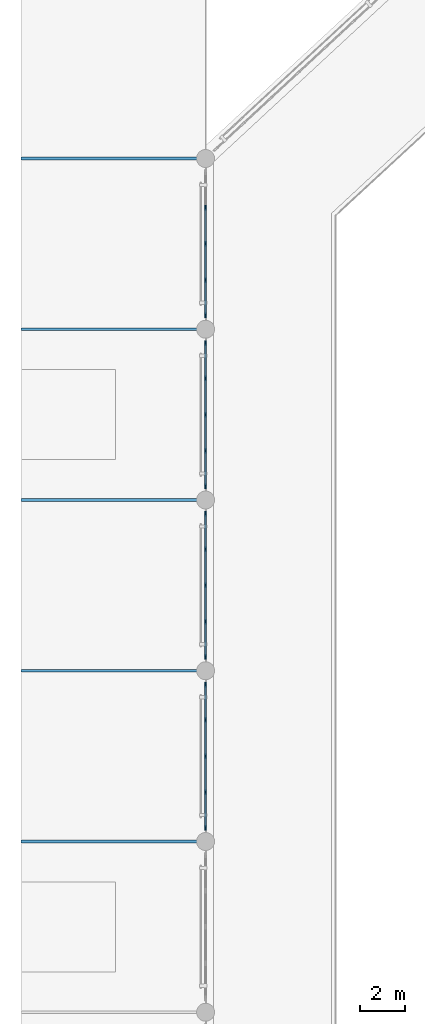
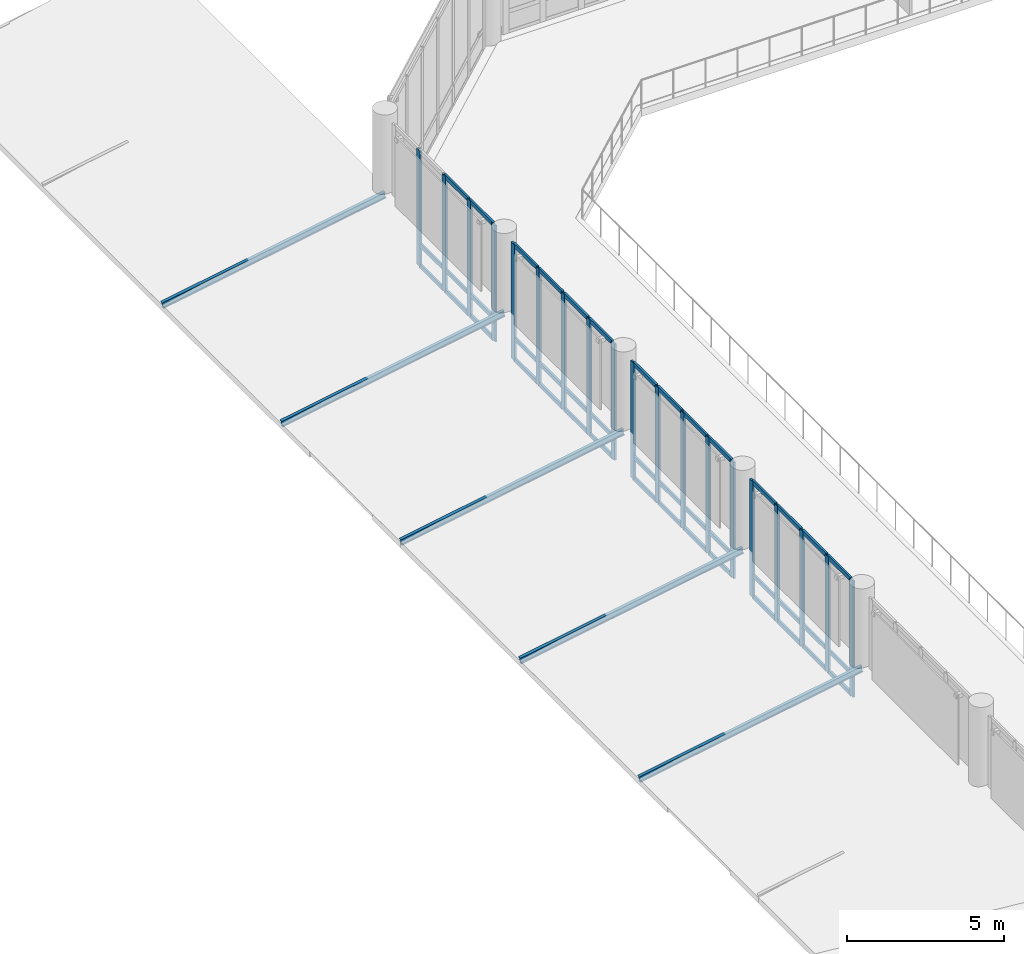
# One storey, part 12 of 57: 68 members, 4 elements without a shape of their own.
"""IFC4 building model written with IfcOpenShell, lengths in metres."""

from ifc_helpers import new_model, si_unit, direction, frame, origin, origin_2d, place, context, subcontext, project, spatial, rectangle, i_section, extrude, material, material_profile, profile_set, type_object, element, aggregate, save


model = new_model("IFC4")

# Units and contexts
model_context = context("Model", 3, precision=1e-05, world=origin(), true_north=direction((0.0, 1.0)))
body_context = subcontext(model_context, "Body", "Model", "MODEL_VIEW")
ifc_project = project(units=[si_unit("LENGTHUNIT", "METRE"), si_unit("AREAUNIT", "SQUARE_METRE"), si_unit("VOLUMEUNIT", "CUBIC_METRE"), si_unit("PLANEANGLEUNIT", "RADIAN"), si_unit("MASSUNIT", "GRAM", prefix="KILO")], contexts=[model_context])

# Site, building, storey
site_placement = place(None, origin())
site = spatial("IfcSite", under=ifc_project, at=site_placement, CompositionType="ELEMENT")
building_placement = place(site_placement, origin())
building = spatial("IfcBuilding", under=site, at=building_placement, Name="Qandaris Square Conservatory and Botanical Centre", CompositionType="ELEMENT")
storey_placement = place(building_placement, frame((0.0, 0.0, 5.39990234375)))
storey = spatial("IfcBuildingStorey", under=building, at=storey_placement, Name="L01", CompositionType="ELEMENT", Elevation=5.39990234375)

# Members
ifc_material_1 = material(Name="Steel S355", Category="steel")
ifc_material_profile_1 = material_profile(ifc_material_1, i_section(OverallWidth=0.1201171875, OverallDepth=0.239990234375, WebThickness=0.006103515625, FlangeThickness=0.009765625, FilletRadius=0.014892578125, at=origin_2d()), Name="IPE 240")
ifc_profile_set_1 = profile_set([ifc_material_profile_1], Name="Steel S355")
member_type_1 = type_object("IfcMemberType", Name="Colonnade Prairie Rafter IPE 240", PredefinedType="RAFTER", material=ifc_profile_set_1)
for number, where, z_axis, x_axis, name in (
    (1, (8.0, 77.39990234375, 0.0), (0.984924346364, 0.0, 0.172985640849), (0.0, 1.0, 0.0), "Colonnade West Rafter 050"),
    (2, (8.0, 85.0, 0.0), (0.984924346364, 0.0, 0.172985640849), (0.0, 1.0, 0.0), "Colonnade West Rafter 052"),
    (3, (8.0, 92.60009765625, 0.0), (0.984924346364, 0.0, 0.172985640849), (0.0, 1.0, 0.0), "Colonnade West Rafter 054"),
    (4, (8.0, 100.199951171875, 0.0), (0.984924346364, 0.0, 0.172985640849), (0.0, 1.0, 0.0), "Colonnade West Rafter 056"),
    (5, (8.0, 107.800048828125, 0.0), (0.984924346364, 0.0, 0.172985640849), (0.0, 1.0, 0.0), "Colonnade West Rafter 058"),
):
    element("IfcMember", number, at=place(storey_placement, frame(where, z_axis=z_axis, x_axis=x_axis)), inside=storey, type_object=member_type_1, Name=name, PredefinedType="RAFTER", context=body_context, shape_type="SweptSolid", body=[
        extrude(i_section(OverallWidth=0.1201171875, OverallDepth=0.239990234375, WebThickness=0.006103515625, FlangeThickness=0.009765625, FilletRadius=0.014892578125, at=origin_2d()), origin(), (0.0, 0.0, 1.0), 8.325439453125),
    ])

# Curtain wall, members
ifc_material_2 = material(Name="Anodised Aluminium", Category="aluminium")
curtain_wall_type = type_object("IfcCurtainWallType", Name="Unitised Curtain Wall CW-1-644x452", PredefinedType="USERDEFINED", material=ifc_material_2)
curtain_wall_1_placement = place(storey_placement, origin())
curtain_wall_1 = element("IfcCurtainWall", 6, at=curtain_wall_1_placement, inside=storey, type_object=curtain_wall_type, Name="Curtain Wall CW-CON-L01-7-1", ObjectType="GLAZED CURTAIN WALL", PredefinedType="USERDEFINED")
ifc_material_profile_2 = material_profile(ifc_material_2, rectangle(XDim=0.074951171875, YDim=0.219970703125, at=origin_2d()), Name="ALU-MUL 75x220")
ifc_profile_set_2 = profile_set([ifc_material_profile_2], Name="Anodised Aluminium")
member_type_2 = type_object("IfcMemberType", Name="Conservatory Heavy Mullion 75x220", PredefinedType="MULLION", material=ifc_profile_set_2)
member_1_placement = place(storey_placement, frame((16.199951171875, 105.610107421875, 0.0), z_axis=(0.0, 0.0, 1.0), x_axis=(1.0, 0.0, 0.0)))
member_1 = element("IfcMember", 7, at=member_1_placement, type_object=member_type_2, Name="CW-1-644x452 mullion 2", PredefinedType="MULLION", context=body_context, shape_type="SweptSolid", body=[
    extrude(rectangle(XDim=0.074951171875, YDim=0.219970703125, at=origin_2d()), origin(), (0.0, 0.0, 1.0), 4.52001953125),
])
member_2_placement = place(storey_placement, frame((16.199951171875, 104.0, 0.0), z_axis=(0.0, 0.0, 1.0), x_axis=(1.0, 0.0, 0.0)))
member_2 = element("IfcMember", 8, at=member_2_placement, type_object=member_type_2, Name="CW-1-644x452 mullion 3", PredefinedType="MULLION", context=body_context, shape_type="SweptSolid", body=[
    extrude(rectangle(XDim=0.074951171875, YDim=0.219970703125, at=origin_2d()), origin(), (0.0, 0.0, 1.0), 4.52001953125),
])
member_3_placement = place(storey_placement, frame((16.199951171875, 102.389892578125, 0.0), z_axis=(0.0, 0.0, 1.0), x_axis=(1.0, 0.0, 0.0)))
member_3 = element("IfcMember", 9, at=member_3_placement, type_object=member_type_2, Name="CW-1-644x452 mullion 4", PredefinedType="MULLION", context=body_context, shape_type="SweptSolid", body=[
    extrude(rectangle(XDim=0.074951171875, YDim=0.219970703125, at=origin_2d()), origin(), (0.0, 0.0, 1.0), 4.52001953125),
])
member_4_placement = place(storey_placement, frame((16.199951171875, 100.8173828125, 0.0), z_axis=(0.0, 0.0, 1.0), x_axis=(1.0, 0.0, 0.0)))
member_4 = element("IfcMember", 10, at=member_4_placement, type_object=member_type_2, Name="CW-1-644x452 mullion 5", PredefinedType="MULLION", context=body_context, shape_type="SweptSolid", body=[
    extrude(rectangle(XDim=0.074951171875, YDim=0.219970703125, at=origin_2d()), origin(), (0.0, 0.0, 1.0), 4.52001953125),
])

curtain_wall_2_placement = place(storey_placement, origin())
curtain_wall_2 = element("IfcCurtainWall", 11, at=curtain_wall_2_placement, inside=storey, type_object=curtain_wall_type, Name="Curtain Wall CW-CON-L01-7-2", ObjectType="GLAZED CURTAIN WALL", PredefinedType="USERDEFINED")
member_5_placement = place(storey_placement, frame((16.199951171875, 99.58251953125, 0.0), z_axis=(0.0, 0.0, 1.0), x_axis=(1.0, 0.0, 0.0)))
member_5 = element("IfcMember", 12, at=member_5_placement, type_object=member_type_2, Name="CW-1-644x452 mullion 1", PredefinedType="MULLION", context=body_context, shape_type="SweptSolid", body=[
    extrude(rectangle(XDim=0.074951171875, YDim=0.219970703125, at=origin_2d()), origin(), (0.0, 0.0, 1.0), 4.52001953125),
])
member_6_placement = place(storey_placement, frame((16.199951171875, 98.010009765625, 0.0), z_axis=(0.0, 0.0, 1.0), x_axis=(1.0, 0.0, 0.0)))
member_6 = element("IfcMember", 13, at=member_6_placement, type_object=member_type_2, Name="CW-1-644x452 mullion 2", PredefinedType="MULLION", context=body_context, shape_type="SweptSolid", body=[
    extrude(rectangle(XDim=0.074951171875, YDim=0.219970703125, at=origin_2d()), origin(), (0.0, 0.0, 1.0), 4.52001953125),
])
member_7_placement = place(storey_placement, frame((16.199951171875, 96.39990234375, 0.0), z_axis=(0.0, 0.0, 1.0), x_axis=(1.0, 0.0, 0.0)))
member_7 = element("IfcMember", 14, at=member_7_placement, type_object=member_type_2, Name="CW-1-644x452 mullion 3", PredefinedType="MULLION", context=body_context, shape_type="SweptSolid", body=[
    extrude(rectangle(XDim=0.074951171875, YDim=0.219970703125, at=origin_2d()), origin(), (0.0, 0.0, 1.0), 4.52001953125),
])
member_8_placement = place(storey_placement, frame((16.199951171875, 94.7900390625, 0.0), z_axis=(0.0, 0.0, 1.0), x_axis=(1.0, 0.0, 0.0)))
member_8 = element("IfcMember", 15, at=member_8_placement, type_object=member_type_2, Name="CW-1-644x452 mullion 4", PredefinedType="MULLION", context=body_context, shape_type="SweptSolid", body=[
    extrude(rectangle(XDim=0.074951171875, YDim=0.219970703125, at=origin_2d()), origin(), (0.0, 0.0, 1.0), 4.52001953125),
])
member_9_placement = place(storey_placement, frame((16.199951171875, 93.217529296875, 0.0), z_axis=(0.0, 0.0, 1.0), x_axis=(1.0, 0.0, 0.0)))
member_9 = element("IfcMember", 16, at=member_9_placement, type_object=member_type_2, Name="CW-1-644x452 mullion 5", PredefinedType="MULLION", context=body_context, shape_type="SweptSolid", body=[
    extrude(rectangle(XDim=0.074951171875, YDim=0.219970703125, at=origin_2d()), origin(), (0.0, 0.0, 1.0), 4.52001953125),
])

curtain_wall_3_placement = place(storey_placement, origin())
curtain_wall_3 = element("IfcCurtainWall", 17, at=curtain_wall_3_placement, inside=storey, type_object=curtain_wall_type, Name="Curtain Wall CW-CON-L01-7-3", ObjectType="GLAZED CURTAIN WALL", PredefinedType="USERDEFINED")
member_10_placement = place(storey_placement, frame((16.199951171875, 91.982421875, 0.0), z_axis=(0.0, 0.0, 1.0), x_axis=(1.0, 0.0, 0.0)))
member_10 = element("IfcMember", 18, at=member_10_placement, type_object=member_type_2, Name="CW-1-644x452 mullion 1", PredefinedType="MULLION", context=body_context, shape_type="SweptSolid", body=[
    extrude(rectangle(XDim=0.074951171875, YDim=0.219970703125, at=origin_2d()), origin(), (0.0, 0.0, 1.0), 4.52001953125),
])
member_11_placement = place(storey_placement, frame((16.199951171875, 90.409912109375, 0.0), z_axis=(0.0, 0.0, 1.0), x_axis=(1.0, 0.0, 0.0)))
member_11 = element("IfcMember", 19, at=member_11_placement, type_object=member_type_2, Name="CW-1-644x452 mullion 2", PredefinedType="MULLION", context=body_context, shape_type="SweptSolid", body=[
    extrude(rectangle(XDim=0.074951171875, YDim=0.219970703125, at=origin_2d()), origin(), (0.0, 0.0, 1.0), 4.52001953125),
])
member_12_placement = place(storey_placement, frame((16.199951171875, 88.800048828125, 0.0), z_axis=(0.0, 0.0, 1.0), x_axis=(1.0, 0.0, 0.0)))
member_12 = element("IfcMember", 20, at=member_12_placement, type_object=member_type_2, Name="CW-1-644x452 mullion 3", PredefinedType="MULLION", context=body_context, shape_type="SweptSolid", body=[
    extrude(rectangle(XDim=0.074951171875, YDim=0.219970703125, at=origin_2d()), origin(), (0.0, 0.0, 1.0), 4.52001953125),
])
member_13_placement = place(storey_placement, frame((16.199951171875, 87.18994140625, 0.0), z_axis=(0.0, 0.0, 1.0), x_axis=(1.0, 0.0, 0.0)))
member_13 = element("IfcMember", 21, at=member_13_placement, type_object=member_type_2, Name="CW-1-644x452 mullion 4", PredefinedType="MULLION", context=body_context, shape_type="SweptSolid", body=[
    extrude(rectangle(XDim=0.074951171875, YDim=0.219970703125, at=origin_2d()), origin(), (0.0, 0.0, 1.0), 4.52001953125),
])
member_14_placement = place(storey_placement, frame((16.199951171875, 85.617431640625, 0.0), z_axis=(0.0, 0.0, 1.0), x_axis=(1.0, 0.0, 0.0)))
member_14 = element("IfcMember", 22, at=member_14_placement, type_object=member_type_2, Name="CW-1-644x452 mullion 5", PredefinedType="MULLION", context=body_context, shape_type="SweptSolid", body=[
    extrude(rectangle(XDim=0.074951171875, YDim=0.219970703125, at=origin_2d()), origin(), (0.0, 0.0, 1.0), 4.52001953125),
])

curtain_wall_4_placement = place(storey_placement, origin())
curtain_wall_4 = element("IfcCurtainWall", 23, at=curtain_wall_4_placement, inside=storey, type_object=curtain_wall_type, Name="Curtain Wall CW-CON-L01-7-4", ObjectType="GLAZED CURTAIN WALL", PredefinedType="USERDEFINED")
member_15_placement = place(storey_placement, frame((16.199951171875, 84.382568359375, 0.0), z_axis=(0.0, 0.0, 1.0), x_axis=(1.0, 0.0, 0.0)))
member_15 = element("IfcMember", 24, at=member_15_placement, type_object=member_type_2, Name="CW-1-644x452 mullion 1", PredefinedType="MULLION", context=body_context, shape_type="SweptSolid", body=[
    extrude(rectangle(XDim=0.074951171875, YDim=0.219970703125, at=origin_2d()), origin(), (0.0, 0.0, 1.0), 4.52001953125),
])
member_16_placement = place(storey_placement, frame((16.199951171875, 82.81005859375, 0.0), z_axis=(0.0, 0.0, 1.0), x_axis=(1.0, 0.0, 0.0)))
member_16 = element("IfcMember", 25, at=member_16_placement, type_object=member_type_2, Name="CW-1-644x452 mullion 2", PredefinedType="MULLION", context=body_context, shape_type="SweptSolid", body=[
    extrude(rectangle(XDim=0.074951171875, YDim=0.219970703125, at=origin_2d()), origin(), (0.0, 0.0, 1.0), 4.52001953125),
])
member_17_placement = place(storey_placement, frame((16.199951171875, 81.199951171875, 0.0), z_axis=(0.0, 0.0, 1.0), x_axis=(1.0, 0.0, 0.0)))
member_17 = element("IfcMember", 26, at=member_17_placement, type_object=member_type_2, Name="CW-1-644x452 mullion 3", PredefinedType="MULLION", context=body_context, shape_type="SweptSolid", body=[
    extrude(rectangle(XDim=0.074951171875, YDim=0.219970703125, at=origin_2d()), origin(), (0.0, 0.0, 1.0), 4.52001953125),
])
member_18_placement = place(storey_placement, frame((16.199951171875, 79.590087890625, 0.0), z_axis=(0.0, 0.0, 1.0), x_axis=(1.0, 0.0, 0.0)))
member_18 = element("IfcMember", 27, at=member_18_placement, type_object=member_type_2, Name="CW-1-644x452 mullion 4", PredefinedType="MULLION", context=body_context, shape_type="SweptSolid", body=[
    extrude(rectangle(XDim=0.074951171875, YDim=0.219970703125, at=origin_2d()), origin(), (0.0, 0.0, 1.0), 4.52001953125),
])
member_19_placement = place(storey_placement, frame((16.199951171875, 78.017578125, 0.0), z_axis=(0.0, 0.0, 1.0), x_axis=(1.0, 0.0, 0.0)))
member_19 = element("IfcMember", 28, at=member_19_placement, type_object=member_type_2, Name="CW-1-644x452 mullion 5", PredefinedType="MULLION", context=body_context, shape_type="SweptSolid", body=[
    extrude(rectangle(XDim=0.074951171875, YDim=0.219970703125, at=origin_2d()), origin(), (0.0, 0.0, 1.0), 4.52001953125),
])

# Member
ifc_material_profile_3 = material_profile(ifc_material_2, rectangle(XDim=0.074951171875, YDim=0.159912109375, at=origin_2d()), Name="ALU-TRN 75x160")
ifc_profile_set_3 = profile_set([ifc_material_profile_3], Name="Anodised Aluminium")
member_type_3 = type_object("IfcMemberType", Name="Conservatory Heavy Transom 75x160", PredefinedType="USERDEFINED", material=ifc_profile_set_3)
member_20_placement = place(storey_placement, frame((16.199951171875, 105.572509765625, 0.03759765625), z_axis=(0.0, -1.0, 0.0), x_axis=(1.0, 0.0, 0.0)))
member_20 = element("IfcMember", 29, at=member_20_placement, type_object=member_type_3, Name="CW-1-644x452 transom 2.1", ObjectType="TRANSOM", PredefinedType="USERDEFINED", context=body_context, shape_type="SweptSolid", body=[
    extrude(rectangle(XDim=0.074951171875, YDim=0.159912109375, at=origin_2d()), origin(), (0.0, 0.0, 1.0), 1.534912109375),
])

member_21_placement = place(storey_placement, frame((16.199951171875, 105.572509765625, 0.85009765625), z_axis=(0.0, -1.0, 0.0), x_axis=(1.0, 0.0, 0.0)))
member_21 = element("IfcMember", 30, at=member_21_placement, type_object=member_type_3, Name="CW-1-644x452 transom 2.2", ObjectType="TRANSOM", PredefinedType="USERDEFINED", context=body_context, shape_type="SweptSolid", body=[
    extrude(rectangle(XDim=0.074951171875, YDim=0.159912109375, at=origin_2d()), origin(), (0.0, 0.0, 1.0), 1.534912109375),
])

member_22_placement = place(storey_placement, frame((16.199951171875, 103.96240234375, 0.03759765625), z_axis=(0.0, -1.0, 0.0), x_axis=(1.0, 0.0, 0.0)))
member_22 = element("IfcMember", 31, at=member_22_placement, type_object=member_type_3, Name="CW-1-644x452 transom 3.1", ObjectType="TRANSOM", PredefinedType="USERDEFINED", context=body_context, shape_type="SweptSolid", body=[
    extrude(rectangle(XDim=0.074951171875, YDim=0.159912109375, at=origin_2d()), origin(), (0.0, 0.0, 1.0), 1.534912109375),
])

member_23_placement = place(storey_placement, frame((16.199951171875, 103.96240234375, 0.85009765625), z_axis=(0.0, -1.0, 0.0), x_axis=(1.0, 0.0, 0.0)))
member_23 = element("IfcMember", 32, at=member_23_placement, type_object=member_type_3, Name="CW-1-644x452 transom 3.2", ObjectType="TRANSOM", PredefinedType="USERDEFINED", context=body_context, shape_type="SweptSolid", body=[
    extrude(rectangle(XDim=0.074951171875, YDim=0.159912109375, at=origin_2d()), origin(), (0.0, 0.0, 1.0), 1.534912109375),
])

member_24_placement = place(storey_placement, frame((16.199951171875, 103.96240234375, 4.482666015625), z_axis=(0.0, -1.0, 0.0), x_axis=(1.0, 0.0, 0.0)))
member_24 = element("IfcMember", 33, at=member_24_placement, type_object=member_type_3, Name="CW-1-644x452 transom 3.3", ObjectType="TRANSOM", PredefinedType="USERDEFINED", context=body_context, shape_type="SweptSolid", body=[
    extrude(rectangle(XDim=0.074951171875, YDim=0.159912109375, at=origin_2d()), origin(), (0.0, 0.0, 1.0), 1.534912109375),
])

member_25_placement = place(storey_placement, frame((16.199951171875, 102.3525390625, 0.03759765625), z_axis=(0.0, -1.0, 0.0), x_axis=(1.0, 0.0, 0.0)))
member_25 = element("IfcMember", 34, at=member_25_placement, type_object=member_type_3, Name="CW-1-644x452 transom 4.1", ObjectType="TRANSOM", PredefinedType="USERDEFINED", context=body_context, shape_type="SweptSolid", body=[
    extrude(rectangle(XDim=0.074951171875, YDim=0.159912109375, at=origin_2d()), origin(), (0.0, 0.0, 1.0), 1.49755859375),
])

member_26_placement = place(storey_placement, frame((16.199951171875, 102.3525390625, 0.85009765625), z_axis=(0.0, -1.0, 0.0), x_axis=(1.0, 0.0, 0.0)))
member_26 = element("IfcMember", 35, at=member_26_placement, type_object=member_type_3, Name="CW-1-644x452 transom 4.2", ObjectType="TRANSOM", PredefinedType="USERDEFINED", context=body_context, shape_type="SweptSolid", body=[
    extrude(rectangle(XDim=0.074951171875, YDim=0.159912109375, at=origin_2d()), origin(), (0.0, 0.0, 1.0), 1.49755859375),
])

member_27_placement = place(storey_placement, frame((16.199951171875, 102.3525390625, 4.482666015625), z_axis=(0.0, -1.0, 0.0), x_axis=(1.0, 0.0, 0.0)))
member_27 = element("IfcMember", 36, at=member_27_placement, type_object=member_type_3, Name="CW-1-644x452 transom 4.3", ObjectType="TRANSOM", PredefinedType="USERDEFINED", context=body_context, shape_type="SweptSolid", body=[
    extrude(rectangle(XDim=0.074951171875, YDim=0.159912109375, at=origin_2d()), origin(), (0.0, 0.0, 1.0), 1.49755859375),
])

aggregate(curtain_wall_1, [member_1, member_2, member_3, member_4, member_20, member_21, member_22, member_23, member_24, member_25, member_26, member_27])

member_28_placement = place(storey_placement, frame((16.199951171875, 99.544921875, 0.03759765625), z_axis=(0.0, -1.0, 0.0), x_axis=(1.0, 0.0, 0.0)))
member_28 = element("IfcMember", 37, at=member_28_placement, type_object=member_type_3, Name="CW-1-644x452 transom 1.1", ObjectType="TRANSOM", PredefinedType="USERDEFINED", context=body_context, shape_type="SweptSolid", body=[
    extrude(rectangle(XDim=0.074951171875, YDim=0.159912109375, at=origin_2d()), origin(), (0.0, 0.0, 1.0), 1.497314453125),
])

member_29_placement = place(storey_placement, frame((16.199951171875, 99.544921875, 0.85009765625), z_axis=(0.0, -1.0, 0.0), x_axis=(1.0, 0.0, 0.0)))
member_29 = element("IfcMember", 38, at=member_29_placement, type_object=member_type_3, Name="CW-1-644x452 transom 1.2", ObjectType="TRANSOM", PredefinedType="USERDEFINED", context=body_context, shape_type="SweptSolid", body=[
    extrude(rectangle(XDim=0.074951171875, YDim=0.159912109375, at=origin_2d()), origin(), (0.0, 0.0, 1.0), 1.497314453125),
])

member_30_placement = place(storey_placement, frame((16.199951171875, 99.544921875, 4.482666015625), z_axis=(0.0, -1.0, 0.0), x_axis=(1.0, 0.0, 0.0)))
member_30 = element("IfcMember", 39, at=member_30_placement, type_object=member_type_3, Name="CW-1-644x452 transom 1.3", ObjectType="TRANSOM", PredefinedType="USERDEFINED", context=body_context, shape_type="SweptSolid", body=[
    extrude(rectangle(XDim=0.074951171875, YDim=0.159912109375, at=origin_2d()), origin(), (0.0, 0.0, 1.0), 1.497314453125),
])

member_31_placement = place(storey_placement, frame((16.199951171875, 97.972412109375, 0.03759765625), z_axis=(0.0, -1.0, 0.0), x_axis=(1.0, 0.0, 0.0)))
member_31 = element("IfcMember", 40, at=member_31_placement, type_object=member_type_3, Name="CW-1-644x452 transom 2.1", ObjectType="TRANSOM", PredefinedType="USERDEFINED", context=body_context, shape_type="SweptSolid", body=[
    extrude(rectangle(XDim=0.074951171875, YDim=0.159912109375, at=origin_2d()), origin(), (0.0, 0.0, 1.0), 1.534912109375),
])

member_32_placement = place(storey_placement, frame((16.199951171875, 97.972412109375, 0.85009765625), z_axis=(0.0, -1.0, 0.0), x_axis=(1.0, 0.0, 0.0)))
member_32 = element("IfcMember", 41, at=member_32_placement, type_object=member_type_3, Name="CW-1-644x452 transom 2.2", ObjectType="TRANSOM", PredefinedType="USERDEFINED", context=body_context, shape_type="SweptSolid", body=[
    extrude(rectangle(XDim=0.074951171875, YDim=0.159912109375, at=origin_2d()), origin(), (0.0, 0.0, 1.0), 1.534912109375),
])

member_33_placement = place(storey_placement, frame((16.199951171875, 97.972412109375, 4.482666015625), z_axis=(0.0, -1.0, 0.0), x_axis=(1.0, 0.0, 0.0)))
member_33 = element("IfcMember", 42, at=member_33_placement, type_object=member_type_3, Name="CW-1-644x452 transom 2.3", ObjectType="TRANSOM", PredefinedType="USERDEFINED", context=body_context, shape_type="SweptSolid", body=[
    extrude(rectangle(XDim=0.074951171875, YDim=0.159912109375, at=origin_2d()), origin(), (0.0, 0.0, 1.0), 1.534912109375),
])

member_34_placement = place(storey_placement, frame((16.199951171875, 96.362548828125, 0.03759765625), z_axis=(0.0, -1.0, 0.0), x_axis=(1.0, 0.0, 0.0)))
member_34 = element("IfcMember", 43, at=member_34_placement, type_object=member_type_3, Name="CW-1-644x452 transom 3.1", ObjectType="TRANSOM", PredefinedType="USERDEFINED", context=body_context, shape_type="SweptSolid", body=[
    extrude(rectangle(XDim=0.074951171875, YDim=0.159912109375, at=origin_2d()), origin(), (0.0, 0.0, 1.0), 1.53515625),
])

member_35_placement = place(storey_placement, frame((16.199951171875, 96.362548828125, 0.85009765625), z_axis=(0.0, -1.0, 0.0), x_axis=(1.0, 0.0, 0.0)))
member_35 = element("IfcMember", 44, at=member_35_placement, type_object=member_type_3, Name="CW-1-644x452 transom 3.2", ObjectType="TRANSOM", PredefinedType="USERDEFINED", context=body_context, shape_type="SweptSolid", body=[
    extrude(rectangle(XDim=0.074951171875, YDim=0.159912109375, at=origin_2d()), origin(), (0.0, 0.0, 1.0), 1.53515625),
])

member_36_placement = place(storey_placement, frame((16.199951171875, 96.362548828125, 4.482666015625), z_axis=(0.0, -1.0, 0.0), x_axis=(1.0, 0.0, 0.0)))
member_36 = element("IfcMember", 45, at=member_36_placement, type_object=member_type_3, Name="CW-1-644x452 transom 3.3", ObjectType="TRANSOM", PredefinedType="USERDEFINED", context=body_context, shape_type="SweptSolid", body=[
    extrude(rectangle(XDim=0.074951171875, YDim=0.159912109375, at=origin_2d()), origin(), (0.0, 0.0, 1.0), 1.53515625),
])

member_37_placement = place(storey_placement, frame((16.199951171875, 94.75244140625, 0.03759765625), z_axis=(0.0, -1.0, 0.0), x_axis=(1.0, 0.0, 0.0)))
member_37 = element("IfcMember", 46, at=member_37_placement, type_object=member_type_3, Name="CW-1-644x452 transom 4.1", ObjectType="TRANSOM", PredefinedType="USERDEFINED", context=body_context, shape_type="SweptSolid", body=[
    extrude(rectangle(XDim=0.074951171875, YDim=0.159912109375, at=origin_2d()), origin(), (0.0, 0.0, 1.0), 1.49755859375),
])

member_38_placement = place(storey_placement, frame((16.199951171875, 94.75244140625, 0.85009765625), z_axis=(0.0, -1.0, 0.0), x_axis=(1.0, 0.0, 0.0)))
member_38 = element("IfcMember", 47, at=member_38_placement, type_object=member_type_3, Name="CW-1-644x452 transom 4.2", ObjectType="TRANSOM", PredefinedType="USERDEFINED", context=body_context, shape_type="SweptSolid", body=[
    extrude(rectangle(XDim=0.074951171875, YDim=0.159912109375, at=origin_2d()), origin(), (0.0, 0.0, 1.0), 1.49755859375),
])

member_39_placement = place(storey_placement, frame((16.199951171875, 94.75244140625, 4.482666015625), z_axis=(0.0, -1.0, 0.0), x_axis=(1.0, 0.0, 0.0)))
member_39 = element("IfcMember", 48, at=member_39_placement, type_object=member_type_3, Name="CW-1-644x452 transom 4.3", ObjectType="TRANSOM", PredefinedType="USERDEFINED", context=body_context, shape_type="SweptSolid", body=[
    extrude(rectangle(XDim=0.074951171875, YDim=0.159912109375, at=origin_2d()), origin(), (0.0, 0.0, 1.0), 1.49755859375),
])

aggregate(curtain_wall_2, [member_5, member_6, member_7, member_8, member_9, member_28, member_29, member_30, member_31, member_32, member_33, member_34, member_35, member_36, member_37, member_38, member_39])

member_40_placement = place(storey_placement, frame((16.199951171875, 91.945068359375, 0.03759765625), z_axis=(0.0, -1.0, 0.0), x_axis=(1.0, 0.0, 0.0)))
member_40 = element("IfcMember", 49, at=member_40_placement, type_object=member_type_3, Name="CW-1-644x452 transom 1.1", ObjectType="TRANSOM", PredefinedType="USERDEFINED", context=body_context, shape_type="SweptSolid", body=[
    extrude(rectangle(XDim=0.074951171875, YDim=0.159912109375, at=origin_2d()), origin(), (0.0, 0.0, 1.0), 1.49755859375),
])

member_41_placement = place(storey_placement, frame((16.199951171875, 91.945068359375, 0.85009765625), z_axis=(0.0, -1.0, 0.0), x_axis=(1.0, 0.0, 0.0)))
member_41 = element("IfcMember", 50, at=member_41_placement, type_object=member_type_3, Name="CW-1-644x452 transom 1.2", ObjectType="TRANSOM", PredefinedType="USERDEFINED", context=body_context, shape_type="SweptSolid", body=[
    extrude(rectangle(XDim=0.074951171875, YDim=0.159912109375, at=origin_2d()), origin(), (0.0, 0.0, 1.0), 1.49755859375),
])

member_42_placement = place(storey_placement, frame((16.199951171875, 91.945068359375, 4.482666015625), z_axis=(0.0, -1.0, 0.0), x_axis=(1.0, 0.0, 0.0)))
member_42 = element("IfcMember", 51, at=member_42_placement, type_object=member_type_3, Name="CW-1-644x452 transom 1.3", ObjectType="TRANSOM", PredefinedType="USERDEFINED", context=body_context, shape_type="SweptSolid", body=[
    extrude(rectangle(XDim=0.074951171875, YDim=0.159912109375, at=origin_2d()), origin(), (0.0, 0.0, 1.0), 1.49755859375),
])

member_43_placement = place(storey_placement, frame((16.199951171875, 90.37255859375, 0.03759765625), z_axis=(0.0, -1.0, 0.0), x_axis=(1.0, 0.0, 0.0)))
member_43 = element("IfcMember", 52, at=member_43_placement, type_object=member_type_3, Name="CW-1-644x452 transom 2.1", ObjectType="TRANSOM", PredefinedType="USERDEFINED", context=body_context, shape_type="SweptSolid", body=[
    extrude(rectangle(XDim=0.074951171875, YDim=0.159912109375, at=origin_2d()), origin(), (0.0, 0.0, 1.0), 1.53515625),
])

member_44_placement = place(storey_placement, frame((16.199951171875, 90.37255859375, 0.85009765625), z_axis=(0.0, -1.0, 0.0), x_axis=(1.0, 0.0, 0.0)))
member_44 = element("IfcMember", 53, at=member_44_placement, type_object=member_type_3, Name="CW-1-644x452 transom 2.2", ObjectType="TRANSOM", PredefinedType="USERDEFINED", context=body_context, shape_type="SweptSolid", body=[
    extrude(rectangle(XDim=0.074951171875, YDim=0.159912109375, at=origin_2d()), origin(), (0.0, 0.0, 1.0), 1.53515625),
])

member_45_placement = place(storey_placement, frame((16.199951171875, 90.37255859375, 4.482666015625), z_axis=(0.0, -1.0, 0.0), x_axis=(1.0, 0.0, 0.0)))
member_45 = element("IfcMember", 54, at=member_45_placement, type_object=member_type_3, Name="CW-1-644x452 transom 2.3", ObjectType="TRANSOM", PredefinedType="USERDEFINED", context=body_context, shape_type="SweptSolid", body=[
    extrude(rectangle(XDim=0.074951171875, YDim=0.159912109375, at=origin_2d()), origin(), (0.0, 0.0, 1.0), 1.53515625),
])

member_46_placement = place(storey_placement, frame((16.199951171875, 88.762451171875, 0.03759765625), z_axis=(0.0, -1.0, 0.0), x_axis=(1.0, 0.0, 0.0)))
member_46 = element("IfcMember", 55, at=member_46_placement, type_object=member_type_3, Name="CW-1-644x452 transom 3.1", ObjectType="TRANSOM", PredefinedType="USERDEFINED", context=body_context, shape_type="SweptSolid", body=[
    extrude(rectangle(XDim=0.074951171875, YDim=0.159912109375, at=origin_2d()), origin(), (0.0, 0.0, 1.0), 1.534912109375),
])

member_47_placement = place(storey_placement, frame((16.199951171875, 88.762451171875, 0.85009765625), z_axis=(0.0, -1.0, 0.0), x_axis=(1.0, 0.0, 0.0)))
member_47 = element("IfcMember", 56, at=member_47_placement, type_object=member_type_3, Name="CW-1-644x452 transom 3.2", ObjectType="TRANSOM", PredefinedType="USERDEFINED", context=body_context, shape_type="SweptSolid", body=[
    extrude(rectangle(XDim=0.074951171875, YDim=0.159912109375, at=origin_2d()), origin(), (0.0, 0.0, 1.0), 1.534912109375),
])

member_48_placement = place(storey_placement, frame((16.199951171875, 88.762451171875, 4.482666015625), z_axis=(0.0, -1.0, 0.0), x_axis=(1.0, 0.0, 0.0)))
member_48 = element("IfcMember", 57, at=member_48_placement, type_object=member_type_3, Name="CW-1-644x452 transom 3.3", ObjectType="TRANSOM", PredefinedType="USERDEFINED", context=body_context, shape_type="SweptSolid", body=[
    extrude(rectangle(XDim=0.074951171875, YDim=0.159912109375, at=origin_2d()), origin(), (0.0, 0.0, 1.0), 1.534912109375),
])

member_49_placement = place(storey_placement, frame((16.199951171875, 87.152587890625, 0.03759765625), z_axis=(0.0, -1.0, 0.0), x_axis=(1.0, 0.0, 0.0)))
member_49 = element("IfcMember", 58, at=member_49_placement, type_object=member_type_3, Name="CW-1-644x452 transom 4.1", ObjectType="TRANSOM", PredefinedType="USERDEFINED", context=body_context, shape_type="SweptSolid", body=[
    extrude(rectangle(XDim=0.074951171875, YDim=0.159912109375, at=origin_2d()), origin(), (0.0, 0.0, 1.0), 1.49755859375),
])

member_50_placement = place(storey_placement, frame((16.199951171875, 87.152587890625, 0.85009765625), z_axis=(0.0, -1.0, 0.0), x_axis=(1.0, 0.0, 0.0)))
member_50 = element("IfcMember", 59, at=member_50_placement, type_object=member_type_3, Name="CW-1-644x452 transom 4.2", ObjectType="TRANSOM", PredefinedType="USERDEFINED", context=body_context, shape_type="SweptSolid", body=[
    extrude(rectangle(XDim=0.074951171875, YDim=0.159912109375, at=origin_2d()), origin(), (0.0, 0.0, 1.0), 1.49755859375),
])

member_51_placement = place(storey_placement, frame((16.199951171875, 87.152587890625, 4.482666015625), z_axis=(0.0, -1.0, 0.0), x_axis=(1.0, 0.0, 0.0)))
member_51 = element("IfcMember", 60, at=member_51_placement, type_object=member_type_3, Name="CW-1-644x452 transom 4.3", ObjectType="TRANSOM", PredefinedType="USERDEFINED", context=body_context, shape_type="SweptSolid", body=[
    extrude(rectangle(XDim=0.074951171875, YDim=0.159912109375, at=origin_2d()), origin(), (0.0, 0.0, 1.0), 1.49755859375),
])

aggregate(curtain_wall_3, [member_10, member_11, member_12, member_13, member_14, member_40, member_41, member_42, member_43, member_44, member_45, member_46, member_47, member_48, member_49, member_50, member_51])

member_52_placement = place(storey_placement, frame((16.199951171875, 84.344970703125, 0.03759765625), z_axis=(0.0, -1.0, 0.0), x_axis=(1.0, 0.0, 0.0)))
member_52 = element("IfcMember", 61, at=member_52_placement, type_object=member_type_3, Name="CW-1-644x452 transom 1.1", ObjectType="TRANSOM", PredefinedType="USERDEFINED", context=body_context, shape_type="SweptSolid", body=[
    extrude(rectangle(XDim=0.074951171875, YDim=0.159912109375, at=origin_2d()), origin(), (0.0, 0.0, 1.0), 1.49755859375),
])

member_53_placement = place(storey_placement, frame((16.199951171875, 84.344970703125, 0.85009765625), z_axis=(0.0, -1.0, 0.0), x_axis=(1.0, 0.0, 0.0)))
member_53 = element("IfcMember", 62, at=member_53_placement, type_object=member_type_3, Name="CW-1-644x452 transom 1.2", ObjectType="TRANSOM", PredefinedType="USERDEFINED", context=body_context, shape_type="SweptSolid", body=[
    extrude(rectangle(XDim=0.074951171875, YDim=0.159912109375, at=origin_2d()), origin(), (0.0, 0.0, 1.0), 1.49755859375),
])

member_54_placement = place(storey_placement, frame((16.199951171875, 84.344970703125, 4.482666015625), z_axis=(0.0, -1.0, 0.0), x_axis=(1.0, 0.0, 0.0)))
member_54 = element("IfcMember", 63, at=member_54_placement, type_object=member_type_3, Name="CW-1-644x452 transom 1.3", ObjectType="TRANSOM", PredefinedType="USERDEFINED", context=body_context, shape_type="SweptSolid", body=[
    extrude(rectangle(XDim=0.074951171875, YDim=0.159912109375, at=origin_2d()), origin(), (0.0, 0.0, 1.0), 1.49755859375),
])

member_55_placement = place(storey_placement, frame((16.199951171875, 82.7724609375, 0.03759765625), z_axis=(0.0, -1.0, 0.0), x_axis=(1.0, 0.0, 0.0)))
member_55 = element("IfcMember", 64, at=member_55_placement, type_object=member_type_3, Name="CW-1-644x452 transom 2.1", ObjectType="TRANSOM", PredefinedType="USERDEFINED", context=body_context, shape_type="SweptSolid", body=[
    extrude(rectangle(XDim=0.074951171875, YDim=0.159912109375, at=origin_2d()), origin(), (0.0, 0.0, 1.0), 1.534912109375),
])

member_56_placement = place(storey_placement, frame((16.199951171875, 82.7724609375, 0.85009765625), z_axis=(0.0, -1.0, 0.0), x_axis=(1.0, 0.0, 0.0)))
member_56 = element("IfcMember", 65, at=member_56_placement, type_object=member_type_3, Name="CW-1-644x452 transom 2.2", ObjectType="TRANSOM", PredefinedType="USERDEFINED", context=body_context, shape_type="SweptSolid", body=[
    extrude(rectangle(XDim=0.074951171875, YDim=0.159912109375, at=origin_2d()), origin(), (0.0, 0.0, 1.0), 1.534912109375),
])

member_57_placement = place(storey_placement, frame((16.199951171875, 82.7724609375, 4.482666015625), z_axis=(0.0, -1.0, 0.0), x_axis=(1.0, 0.0, 0.0)))
member_57 = element("IfcMember", 66, at=member_57_placement, type_object=member_type_3, Name="CW-1-644x452 transom 2.3", ObjectType="TRANSOM", PredefinedType="USERDEFINED", context=body_context, shape_type="SweptSolid", body=[
    extrude(rectangle(XDim=0.074951171875, YDim=0.159912109375, at=origin_2d()), origin(), (0.0, 0.0, 1.0), 1.534912109375),
])

member_58_placement = place(storey_placement, frame((16.199951171875, 81.16259765625, 0.03759765625), z_axis=(0.0, -1.0, 0.0), x_axis=(1.0, 0.0, 0.0)))
member_58 = element("IfcMember", 67, at=member_58_placement, type_object=member_type_3, Name="CW-1-644x452 transom 3.1", ObjectType="TRANSOM", PredefinedType="USERDEFINED", context=body_context, shape_type="SweptSolid", body=[
    extrude(rectangle(XDim=0.074951171875, YDim=0.159912109375, at=origin_2d()), origin(), (0.0, 0.0, 1.0), 1.53515625),
])

member_59_placement = place(storey_placement, frame((16.199951171875, 81.16259765625, 0.85009765625), z_axis=(0.0, -1.0, 0.0), x_axis=(1.0, 0.0, 0.0)))
member_59 = element("IfcMember", 68, at=member_59_placement, type_object=member_type_3, Name="CW-1-644x452 transom 3.2", ObjectType="TRANSOM", PredefinedType="USERDEFINED", context=body_context, shape_type="SweptSolid", body=[
    extrude(rectangle(XDim=0.074951171875, YDim=0.159912109375, at=origin_2d()), origin(), (0.0, 0.0, 1.0), 1.53515625),
])

member_60_placement = place(storey_placement, frame((16.199951171875, 81.16259765625, 4.482666015625), z_axis=(0.0, -1.0, 0.0), x_axis=(1.0, 0.0, 0.0)))
member_60 = element("IfcMember", 69, at=member_60_placement, type_object=member_type_3, Name="CW-1-644x452 transom 3.3", ObjectType="TRANSOM", PredefinedType="USERDEFINED", context=body_context, shape_type="SweptSolid", body=[
    extrude(rectangle(XDim=0.074951171875, YDim=0.159912109375, at=origin_2d()), origin(), (0.0, 0.0, 1.0), 1.53515625),
])

member_61_placement = place(storey_placement, frame((16.199951171875, 79.552490234375, 0.03759765625), z_axis=(0.0, -1.0, 0.0), x_axis=(1.0, 0.0, 0.0)))
member_61 = element("IfcMember", 70, at=member_61_placement, type_object=member_type_3, Name="CW-1-644x452 transom 4.1", ObjectType="TRANSOM", PredefinedType="USERDEFINED", context=body_context, shape_type="SweptSolid", body=[
    extrude(rectangle(XDim=0.074951171875, YDim=0.159912109375, at=origin_2d()), origin(), (0.0, 0.0, 1.0), 1.49755859375),
])

member_62_placement = place(storey_placement, frame((16.199951171875, 79.552490234375, 0.85009765625), z_axis=(0.0, -1.0, 0.0), x_axis=(1.0, 0.0, 0.0)))
member_62 = element("IfcMember", 71, at=member_62_placement, type_object=member_type_3, Name="CW-1-644x452 transom 4.2", ObjectType="TRANSOM", PredefinedType="USERDEFINED", context=body_context, shape_type="SweptSolid", body=[
    extrude(rectangle(XDim=0.074951171875, YDim=0.159912109375, at=origin_2d()), origin(), (0.0, 0.0, 1.0), 1.49755859375),
])

member_63_placement = place(storey_placement, frame((16.199951171875, 79.552490234375, 4.482666015625), z_axis=(0.0, -1.0, 0.0), x_axis=(1.0, 0.0, 0.0)))
member_63 = element("IfcMember", 72, at=member_63_placement, type_object=member_type_3, Name="CW-1-644x452 transom 4.3", ObjectType="TRANSOM", PredefinedType="USERDEFINED", context=body_context, shape_type="SweptSolid", body=[
    extrude(rectangle(XDim=0.074951171875, YDim=0.159912109375, at=origin_2d()), origin(), (0.0, 0.0, 1.0), 1.49755859375),
])

aggregate(curtain_wall_4, [member_15, member_16, member_17, member_18, member_19, member_52, member_53, member_54, member_55, member_56, member_57, member_58, member_59, member_60, member_61, member_62, member_63])

save(model, "model.ifc")
